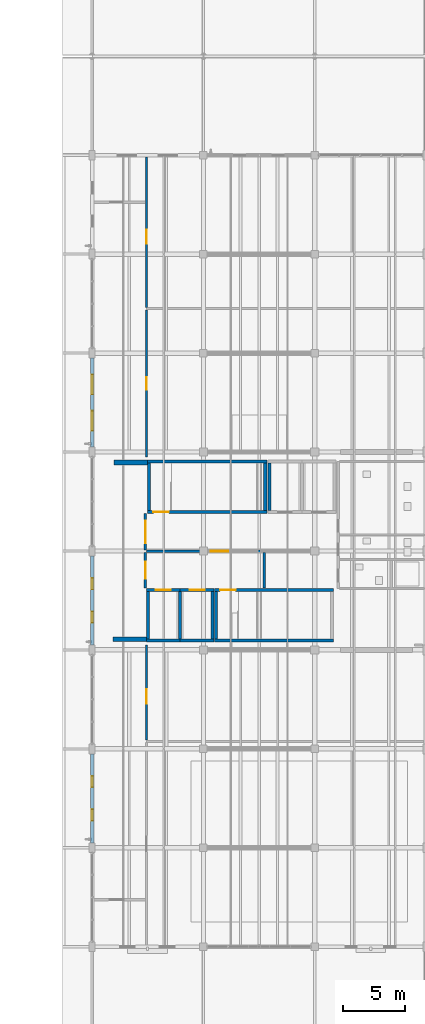
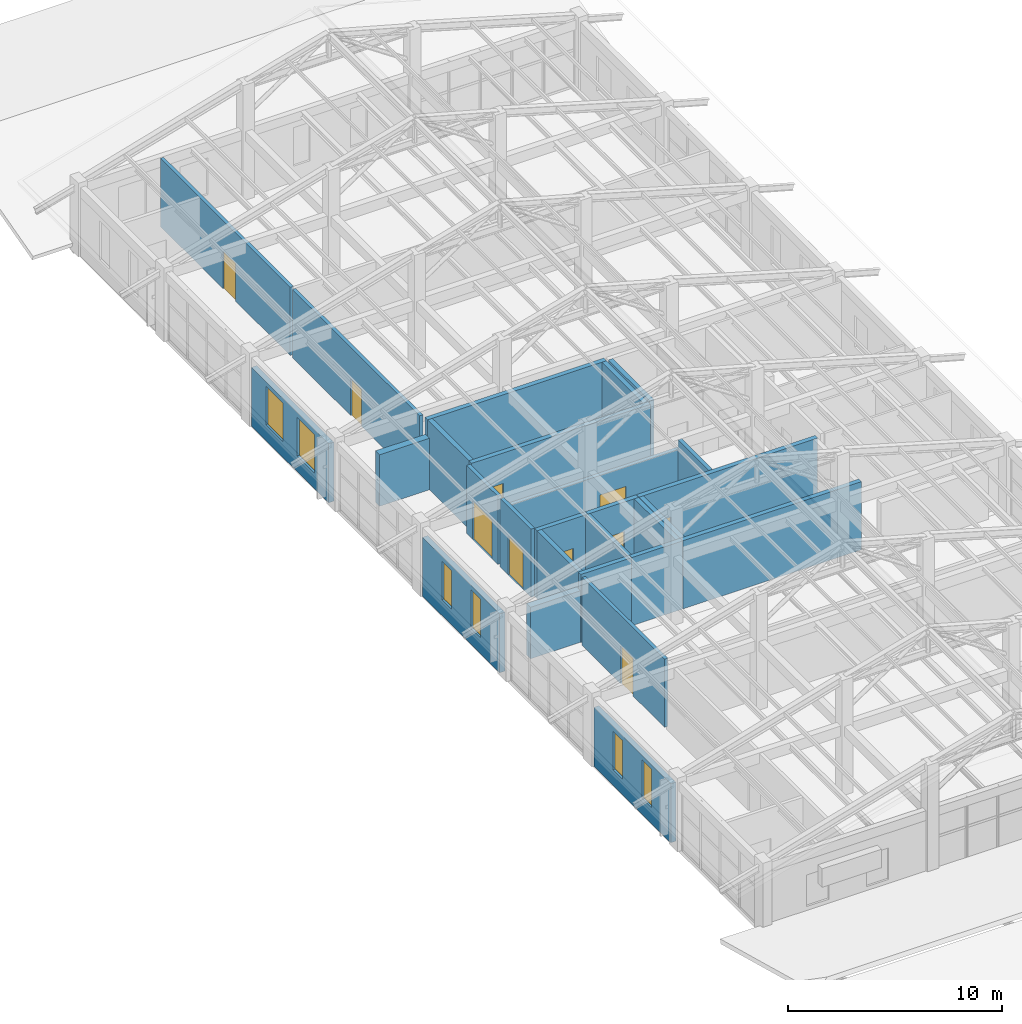
# One storey, part 47 of 58: 27 walls, 10 doors, 6 windows, 16 openings.
"""IFC4 building model written with IfcOpenShell, lengths in metres."""

from ifc_helpers import new_model, si_unit, derived_unit, direction, frame, frame_2d, origin, place, context, subcontext, project, spatial, rectangle, extrude, material, layer, layer_set, type_object, element, fill, save


model = new_model("IFC4")

# Units and contexts
model_context = context("Model", 3, precision=1e-05, world=origin(), true_north=direction((0.0, 1.0)))
body_context = subcontext(model_context, "Body", "Model", "MODEL_VIEW")
ifc_project = project(units=[si_unit("LENGTHUNIT", "METRE"), si_unit("AREAUNIT", "SQUARE_METRE"), si_unit("VOLUMEUNIT", "CUBIC_METRE"), si_unit("PLANEANGLEUNIT", "RADIAN"), si_unit("MASSUNIT", "GRAM", prefix="KILO"), derived_unit("THERMALTRANSMITTANCEUNIT", [(si_unit("MASSUNIT", "GRAM", prefix="KILO"), 1), (si_unit("TIMEUNIT", "SECOND"), -3), (si_unit("THERMODYNAMICTEMPERATUREUNIT", "KELVIN"), -1)])], contexts=[model_context])

# Site, building, storey
site_placement = place(None, origin())
site = spatial("IfcSite", under=ifc_project, at=site_placement, CompositionType="ELEMENT")
building_placement = place(site_placement, origin())
building = spatial("IfcBuilding", under=site, at=building_placement, Name="Zhenchuan Archway Interchange", CompositionType="ELEMENT")
storey_placement = place(building_placement, frame((0.0, 0.0, 22.800048828125)))
storey = spatial("IfcBuildingStorey", under=building, at=storey_placement, Name="L05", CompositionType="ELEMENT", Elevation=22.800048828125)

# Wall, openings, windows
ifc_material_1 = material(Name="Terracotta Masonry", Category="masonry")
ifc_layer_1 = layer(ifc_material_1, 0.280029296875)
ifc_layer_set_1 = layer_set([ifc_layer_1], Name="Terracotta Masonry")
wall_type_1 = type_object("IfcWallType", Name="EW_TERRA_280", PredefinedType="STANDARD", material=ifc_layer_set_1)
wall_1_placement = place(storey_placement, frame((144.0, 32.39794921875, 0.0), z_axis=(0.0, 0.0, 1.0), x_axis=(0.0, 1.0, 0.0)))
wall_1 = element("IfcWall", 1, at=wall_1_placement, inside=storey, type_object=wall_type_1, Name="Exterior wall L05-005", PredefinedType="STANDARD", context=body_context, shape_type="SweptSolid", body=[
    extrude(rectangle(XDim=7.2041015625, YDim=0.280029296875, at=frame_2d((3.60205078125, 0.0))), origin(), (0.0, 0.0, 1.0), 3.369873046875),
])
opening_1_placement = place(wall_1_placement, frame((1.80126953125, 0.0, 0.89990234375)))
opening_1 = element("IfcOpeningElement", 2, at=opening_1_placement, cuts=wall_1, Name="Opening W-12", PredefinedType="OPENING", context=body_context, shape_type="SweptSolid", body=[
    extrude(rectangle(XDim=0.89990234375, YDim=2.199951171875, at=frame_2d((0.449951171875, 1.10009765625))), frame((0.0, 0.15185546875, 0.0), z_axis=(0.0, -1.0, 0.0), x_axis=(1.0, 0.0, 0.0)), (0.0, 0.0, 1.0), 0.303955078125),
])
opening_2_placement = place(wall_1_placement, frame((4.502685546875, 0.0, 0.89990234375)))
opening_2 = element("IfcOpeningElement", 3, at=opening_2_placement, cuts=wall_1, Name="Opening W-12", PredefinedType="OPENING", context=body_context, shape_type="SweptSolid", body=[
    extrude(rectangle(XDim=0.89990234375, YDim=2.199951171875, at=frame_2d((0.449951171875, 1.10009765625))), frame((0.0, 0.15185546875, 0.0), z_axis=(0.0, -1.0, 0.0), x_axis=(1.0, 0.0, 0.0)), (0.0, 0.0, 1.0), 0.303955078125),
])
ifc_material_2 = material(Name="Double Low-E Insulated Glazing", Category="glass")
window_type_1 = type_object("IfcWindowType", Name="WN_SLOT_900x2200", PartitioningType="SINGLE_PANEL", PredefinedType="WINDOW", material=ifc_material_2)
window_1_placement = place(opening_1_placement, origin())
window_1 = element("IfcWindow", 4, at=window_1_placement, inside=storey, type_object=window_type_1, Name="Window L05-0341", OverallHeight=2.199951171875, OverallWidth=0.89990234375, PartitioningType="SINGLE_PANEL", PredefinedType="WINDOW", context=body_context, shape_type="SweptSolid", body=[
    extrude(rectangle(XDim=0.89990234375, YDim=2.199951171875, at=frame_2d((0.449951171875, 1.10009765625))), frame((0.0, 0.030029296875, 0.0), z_axis=(0.0, -1.0, 0.0), x_axis=(1.0, 0.0, 0.0)), (0.0, 0.0, 1.0), 0.06005859375),
])
fill(opening_1, window_1)
window_2_placement = place(opening_2_placement, origin())
window_2 = element("IfcWindow", 5, at=window_2_placement, inside=storey, type_object=window_type_1, Name="Window L05-0342", OverallHeight=2.199951171875, OverallWidth=0.89990234375, PartitioningType="SINGLE_PANEL", PredefinedType="WINDOW", context=body_context, shape_type="SweptSolid", body=[
    extrude(rectangle(XDim=0.89990234375, YDim=2.199951171875, at=frame_2d((0.449951171875, 1.10009765625))), frame((0.0, 0.030029296875, 0.0), z_axis=(0.0, -1.0, 0.0), x_axis=(1.0, 0.0, 0.0)), (0.0, 0.0, 1.0), 0.06005859375),
])
fill(opening_2, window_2)

wall_2_placement = place(storey_placement, frame((144.0, 48.39794921875, 0.0), z_axis=(0.0, 0.0, 1.0), x_axis=(0.0, 1.0, 0.0)))
wall_2 = element("IfcWall", 6, at=wall_2_placement, inside=storey, type_object=wall_type_1, Name="Exterior wall L05-007", PredefinedType="STANDARD", context=body_context, shape_type="SweptSolid", body=[
    extrude(rectangle(XDim=7.2041015625, YDim=0.280029296875, at=frame_2d((3.60205078125, 0.0))), origin(), (0.0, 0.0, 1.0), 3.369873046875),
])
opening_3_placement = place(wall_2_placement, frame((1.80126953125, 0.0, 0.89990234375)))
opening_3 = element("IfcOpeningElement", 7, at=opening_3_placement, cuts=wall_2, Name="Opening W-12", PredefinedType="OPENING", context=body_context, shape_type="SweptSolid", body=[
    extrude(rectangle(XDim=0.89990234375, YDim=2.199951171875, at=frame_2d((0.449951171875, 1.10009765625))), frame((0.0, 0.15185546875, 0.0), z_axis=(0.0, -1.0, 0.0), x_axis=(1.0, 0.0, 0.0)), (0.0, 0.0, 1.0), 0.303955078125),
])
opening_4_placement = place(wall_2_placement, frame((4.502685546875, 0.0, 0.89990234375)))
opening_4 = element("IfcOpeningElement", 8, at=opening_4_placement, cuts=wall_2, Name="Opening W-12", PredefinedType="OPENING", context=body_context, shape_type="SweptSolid", body=[
    extrude(rectangle(XDim=0.89990234375, YDim=2.199951171875, at=frame_2d((0.449951171875, 1.10009765625))), frame((0.0, 0.15185546875, 0.0), z_axis=(0.0, -1.0, 0.0), x_axis=(1.0, 0.0, 0.0)), (0.0, 0.0, 1.0), 0.303955078125),
])
window_3_placement = place(opening_3_placement, origin())
window_3 = element("IfcWindow", 9, at=window_3_placement, inside=storey, type_object=window_type_1, Name="Window L05-0343", OverallHeight=2.199951171875, OverallWidth=0.89990234375, PartitioningType="SINGLE_PANEL", PredefinedType="WINDOW", context=body_context, shape_type="SweptSolid", body=[
    extrude(rectangle(XDim=0.89990234375, YDim=2.199951171875, at=frame_2d((0.449951171875, 1.10009765625))), frame((0.0, 0.030029296875, 0.0), z_axis=(0.0, -1.0, 0.0), x_axis=(1.0, 0.0, 0.0)), (0.0, 0.0, 1.0), 0.06005859375),
])
fill(opening_3, window_3)
window_4_placement = place(opening_4_placement, origin())
window_4 = element("IfcWindow", 10, at=window_4_placement, inside=storey, type_object=window_type_1, Name="Window L05-0344", OverallHeight=2.199951171875, OverallWidth=0.89990234375, PartitioningType="SINGLE_PANEL", PredefinedType="WINDOW", context=body_context, shape_type="SweptSolid", body=[
    extrude(rectangle(XDim=0.89990234375, YDim=2.199951171875, at=frame_2d((0.449951171875, 1.10009765625))), frame((0.0, 0.030029296875, 0.0), z_axis=(0.0, -1.0, 0.0), x_axis=(1.0, 0.0, 0.0)), (0.0, 0.0, 1.0), 0.06005859375),
])
fill(opening_4, window_4)

wall_3_placement = place(storey_placement, frame((144.0, 64.39794921875, 0.0), z_axis=(0.0, 0.0, 1.0), x_axis=(0.0, 1.0, 0.0)))
wall_3 = element("IfcWall", 11, at=wall_3_placement, inside=storey, type_object=wall_type_1, Name="Exterior wall L05-009", PredefinedType="STANDARD", context=body_context, shape_type="SweptSolid", body=[
    extrude(rectangle(XDim=7.2041015625, YDim=0.280029296875, at=frame_2d((3.60205078125, 0.0))), origin(), (0.0, 0.0, 1.0), 3.369873046875),
])
opening_5_placement = place(wall_3_placement, frame((1.334716796875, 0.0, 0.89990234375)))
opening_5 = element("IfcOpeningElement", 12, at=opening_5_placement, cuts=wall_3, Name="Opening W-04", PredefinedType="OPENING", context=body_context, shape_type="SweptSolid", body=[
    extrude(rectangle(XDim=1.60009765625, YDim=2.199951171875, at=frame_2d((0.800048828125, 1.10009765625))), frame((0.0, 0.15185546875, 0.0), z_axis=(0.0, -1.0, 0.0), x_axis=(1.0, 0.0, 0.0)), (0.0, 0.0, 1.0), 0.303955078125),
])
opening_6_placement = place(wall_3_placement, frame((4.269287109375, 0.0, 0.89990234375)))
opening_6 = element("IfcOpeningElement", 13, at=opening_6_placement, cuts=wall_3, Name="Opening W-04", PredefinedType="OPENING", context=body_context, shape_type="SweptSolid", body=[
    extrude(rectangle(XDim=1.60009765625, YDim=2.199951171875, at=frame_2d((0.800048828125, 1.10009765625))), frame((0.0, 0.15185546875, 0.0), z_axis=(0.0, -1.0, 0.0), x_axis=(1.0, 0.0, 0.0)), (0.0, 0.0, 1.0), 0.303955078125),
])
window_type_2 = type_object("IfcWindowType", Name="WN_PUNCH_1600x2200", PartitioningType="SINGLE_PANEL", PredefinedType="WINDOW", material=ifc_material_2)
window_5_placement = place(opening_5_placement, origin())
window_5 = element("IfcWindow", 14, at=window_5_placement, inside=storey, type_object=window_type_2, Name="Window L05-0345", OverallHeight=2.199951171875, OverallWidth=1.60009765625, PartitioningType="SINGLE_PANEL", PredefinedType="WINDOW", context=body_context, shape_type="SweptSolid", body=[
    extrude(rectangle(XDim=1.60009765625, YDim=2.199951171875, at=frame_2d((0.800048828125, 1.10009765625))), frame((0.0, 0.030029296875, 0.0), z_axis=(0.0, -1.0, 0.0), x_axis=(1.0, 0.0, 0.0)), (0.0, 0.0, 1.0), 0.06005859375),
])
fill(opening_5, window_5)
window_6_placement = place(opening_6_placement, origin())
window_6 = element("IfcWindow", 15, at=window_6_placement, inside=storey, type_object=window_type_2, Name="Window L05-0346", OverallHeight=2.199951171875, OverallWidth=1.60009765625, PartitioningType="SINGLE_PANEL", PredefinedType="WINDOW", context=body_context, shape_type="SweptSolid", body=[
    extrude(rectangle(XDim=1.60009765625, YDim=2.199951171875, at=frame_2d((0.800048828125, 1.10009765625))), frame((0.0, 0.030029296875, 0.0), z_axis=(0.0, -1.0, 0.0), x_axis=(1.0, 0.0, 0.0)), (0.0, 0.0, 1.0), 0.06005859375),
])
fill(opening_6, window_6)

# Walls
ifc_material_3 = material(Name="Concrete C50", Category="concrete")
ifc_layer_2 = layer(ifc_material_3, 0.3798828125)
ifc_layer_set_2 = layer_set([ifc_layer_2], Name="Concrete C50")
wall_type_2 = type_object("IfcWallType", Name="WL_CORE_380", PredefinedType="SHEAR", material=ifc_layer_set_2)
wall_4_placement = place(storey_placement, frame((145.679931640625, 48.85498046875, 0.0), z_axis=(0.0, 0.0, 1.0), x_axis=(1.0, 0.0, 0.0)))
element("IfcWall", 16, at=wall_4_placement, inside=storey, type_object=wall_type_2, Name="Operations lateral shear wall W-S (L05)", PredefinedType="SHEAR", context=body_context, shape_type="SweptSolid", body=[
    extrude(rectangle(XDim=2.699951171875, YDim=0.3798828125, at=frame_2d((1.35009765625, 0.0))), origin(), (0.0, 0.0, 1.0), 2.93994140625),
])
wall_5_placement = place(storey_placement, frame((145.77490234375, 63.14990234375, 0.0), z_axis=(0.0, 0.0, 1.0), x_axis=(1.0, 0.0, 0.0)))
element("IfcWall", 17, at=wall_5_placement, inside=storey, type_object=wall_type_2, Name="Operations lateral shear wall W-N (L05)", PredefinedType="SHEAR", context=body_context, shape_type="SweptSolid", body=[
    extrude(rectangle(XDim=2.7001953125, YDim=0.3798828125, at=frame_2d((1.35009765625, 0.0))), origin(), (0.0, 0.0, 1.0), 2.93994140625),
])

# Wall, opening, door
ifc_material_4 = material(Name="Autoclaved Aerated Concrete Block", Category="concrete")
ifc_layer_3 = layer(ifc_material_4, 0.199951171875)
ifc_layer_set_3 = layer_set([ifc_layer_3], Name="Autoclaved Aerated Concrete Block")
wall_type_3 = type_object("IfcWallType", Name="WL_FIRE_200", PredefinedType="STANDARD", material=ifc_layer_set_3)
wall_6_placement = place(storey_placement, frame((148.39990234375, 55.97998046875, 0.0), z_axis=(0.0, 0.0, 1.0), x_axis=(1.0, 0.0, 0.0)))
wall_6 = element("IfcWall", 18, at=wall_6_placement, inside=storey, type_object=wall_type_3, Name="Firefighting lift lobby smoke divider (L05)", PredefinedType="STANDARD", context=body_context, shape_type="SweptSolid", body=[
    extrude(rectangle(XDim=9.5, YDim=0.199951171875, at=frame_2d((4.75, 0.0))), origin(), (0.0, 0.0, 1.0), 3.320068359375),
])
opening_7_placement = place(wall_6_placement, frame((5.199951171875, 0.0, 0.0)))
opening_7 = element("IfcOpeningElement", 19, at=opening_7_placement, cuts=wall_6, Name="Opening FD-04", PredefinedType="OPENING", context=body_context, shape_type="SweptSolid", body=[
    extrude(rectangle(XDim=1.39990234375, YDim=2.199951171875, at=frame_2d((0.699951171875, 1.10009765625))), frame((0.0, 0.11181640625, 0.0), z_axis=(0.0, -1.0, 0.0), x_axis=(1.0, 0.0, 0.0)), (0.0, 0.0, 1.0), 0.223876953125),
])
ifc_material_5 = material(Name="Painted Galvanised Steel", Category="steel")
door_type_1 = type_object("IfcDoorType", Name="DR_LOB_FD60", OperationType="DOUBLE_DOOR_SINGLE_SWING", PredefinedType="DOOR", material=ifc_material_5)
door_1_placement = place(opening_7_placement, origin())
door_1 = element("IfcDoor", 20, at=door_1_placement, inside=storey, type_object=door_type_1, Name="Firefighting to passenger lobby smoke door (L05)", OperationType="DOUBLE_DOOR_SINGLE_SWING", OverallHeight=2.199951171875, OverallWidth=1.39990234375, PredefinedType="DOOR", context=body_context, shape_type="SweptSolid", body=[
    extrude(rectangle(XDim=1.39990234375, YDim=2.199951171875, at=frame_2d((0.699951171875, 1.10009765625))), frame((0.0, 0.02490234375, 0.0), z_axis=(0.0, -1.0, 0.0), x_axis=(1.0, 0.0, 0.0)), (0.0, 0.0, 1.0), 0.050048828125),
])
fill(opening_7, door_1)

# Wall
wall_7_placement = place(storey_placement, frame((157.89990234375, 52.989990234375, 0.0), z_axis=(0.0, 0.0, 1.0), x_axis=(0.0, 1.0, 0.0)))
element("IfcWall", 21, at=wall_7_placement, inside=storey, type_object=wall_type_3, Name="Firefighting lift lobby east fire wall (L05)", PredefinedType="STANDARD", context=body_context, shape_type="SweptSolid", body=[
    extrude(rectangle(XDim=2.880126953125, YDim=0.199951171875, at=frame_2d((1.43994140625, 0.0))), origin(), (0.0, 0.0, 1.0), 3.889892578125),
])

# Wall, opening, door
wall_8_placement = place(storey_placement, frame((148.300048828125, 52.989990234375, 0.0), z_axis=(0.0, 0.0, 1.0), x_axis=(0.0, 1.0, 0.0)))
wall_8 = element("IfcWall", 22, at=wall_8_placement, inside=storey, type_object=wall_type_3, Name="Firefighting lift lobby west fire wall (L05)", PredefinedType="STANDARD", context=body_context, shape_type="SweptSolid", body=[
    extrude(rectangle(XDim=2.880126953125, YDim=0.199951171875, at=frame_2d((1.43994140625, 0.0))), origin(), (0.0, 0.0, 1.0), 3.889892578125),
])
opening_8_placement = place(wall_8_placement, frame((0.75, 0.0, 0.0)))
opening_8 = element("IfcOpeningElement", 23, at=opening_8_placement, cuts=wall_8, Name="Opening FD-04", PredefinedType="OPENING", context=body_context, shape_type="SweptSolid", body=[
    extrude(rectangle(XDim=1.39990234375, YDim=2.199951171875, at=frame_2d((0.699951171875, 1.10009765625))), frame((0.0, 0.11181640625, 0.0), z_axis=(0.0, -1.0, 0.0), x_axis=(1.0, 0.0, 0.0)), (0.0, 0.0, 1.0), 0.223876953125),
])
door_2_placement = place(opening_8_placement, origin())
door_2 = element("IfcDoor", 24, at=door_2_placement, inside=storey, type_object=door_type_1, Name="Firefighting lift lobby corridor fire door (L05)", OperationType="DOUBLE_DOOR_SINGLE_SWING", OverallHeight=2.199951171875, OverallWidth=1.39990234375, PredefinedType="DOOR", context=body_context, shape_type="SweptSolid", body=[
    extrude(rectangle(XDim=1.39990234375, YDim=2.199951171875, at=frame_2d((0.699951171875, 1.10009765625))), frame((0.0, 0.02490234375, 0.0), z_axis=(0.0, -1.0, 0.0), x_axis=(1.0, 0.0, 0.0)), (0.0, 0.0, 1.0), 0.050048828125),
])
fill(opening_8, door_2)

wall_9_placement = place(storey_placement, frame((148.300048828125, 56.090087890625, 0.0), z_axis=(0.0, 0.0, 1.0), x_axis=(0.0, 1.0, 0.0)))
wall_9 = element("IfcWall", 25, at=wall_9_placement, inside=storey, type_object=wall_type_3, Name="Passenger lift lobby west fire wall (L05)", PredefinedType="STANDARD", context=body_context, shape_type="SweptSolid", body=[
    extrude(rectangle(XDim=2.919921875, YDim=0.199951171875, at=frame_2d((1.4599609375, 0.0))), origin(), (0.0, 0.0, 1.0), 3.889892578125),
])
opening_9_placement = place(wall_9_placement, frame((0.550048828125, 0.0, 0.0)))
opening_9 = element("IfcOpeningElement", 26, at=opening_9_placement, cuts=wall_9, Name="Opening ID-01", PredefinedType="OPENING", context=body_context, shape_type="SweptSolid", body=[
    extrude(rectangle(XDim=1.800048828125, YDim=2.199951171875, at=frame_2d((0.89990234375, 1.10009765625))), frame((0.0, 0.11181640625, 0.0), z_axis=(0.0, -1.0, 0.0), x_axis=(1.0, 0.0, 0.0)), (0.0, 0.0, 1.0), 0.223876953125),
])
ifc_material_6 = material(Name="Anodised Aluminium", Category="aluminium")
door_type_2 = type_object("IfcDoorType", Name="DR_LOBBY_DBL", OperationType="DOUBLE_DOOR_SINGLE_SWING", PredefinedType="DOOR", material=ifc_material_6)
door_3_placement = place(opening_9_placement, origin())
door_3 = element("IfcDoor", 27, at=door_3_placement, inside=storey, type_object=door_type_2, Name="Passenger lift lobby entrance door (L05)", OperationType="DOUBLE_DOOR_SINGLE_SWING", OverallHeight=2.199951171875, OverallWidth=1.800048828125, PredefinedType="DOOR", context=body_context, shape_type="SweptSolid", body=[
    extrude(rectangle(XDim=1.800048828125, YDim=2.199951171875, at=frame_2d((0.89990234375, 1.10009765625))), frame((0.0, 0.02490234375, 0.0), z_axis=(0.0, -1.0, 0.0), x_axis=(1.0, 0.0, 0.0)), (0.0, 0.0, 1.0), 0.050048828125),
])
fill(opening_9, door_3)

# Walls
ifc_material_7 = material(Name="Concrete C40", Category="concrete")
ifc_layer_4 = layer(ifc_material_7, 0.239990234375)
ifc_layer_set_4 = layer_set([ifc_layer_4], Name="Concrete C40")
wall_type_4 = type_object("IfcWallType", Name="WL_LIFT_240", PredefinedType="SHEAR", material=ifc_layer_set_4)
wall_10_placement = place(storey_placement, frame((158.35009765625, 63.1298828125, 0.0), z_axis=(0.0, 0.0, 1.0), x_axis=(0.0, -1.0, 0.0)))
element("IfcWall", 28, at=wall_10_placement, inside=storey, type_object=wall_type_4, Name="Lift LF-06 west shaft wall (L05)", PredefinedType="SHEAR", context=body_context, shape_type="SweptSolid", body=[
    extrude(rectangle(XDim=3.85986328125, YDim=0.239990234375, at=frame_2d((1.929931640625, 0.0))), origin(), (0.0, 0.0, 1.0), 3.889892578125),
])
wall_11_placement = place(storey_placement, frame((148.3798828125, 48.75, 0.0), z_axis=(0.0, 0.0, 1.0), x_axis=(1.0, 0.0, 0.0)))
element("IfcWall", 29, at=wall_11_placement, inside=storey, type_object=wall_type_4, Name="Lift LF-08 south shaft wall (L05)", PredefinedType="SHEAR", context=body_context, shape_type="SweptSolid", body=[
    extrude(rectangle(XDim=2.740234375, YDim=0.239990234375, at=frame_2d((1.3701171875, 0.0))), origin(), (0.0, 0.0, 1.0), 3.889892578125),
])

# Wall, opening, door
wall_12_placement = place(storey_placement, frame((151.1201171875, 52.85009765625, 0.0), z_axis=(0.0, 0.0, 1.0), x_axis=(-1.0, 0.0, 0.0)))
wall_12 = element("IfcWall", 30, at=wall_12_placement, inside=storey, type_object=wall_type_4, Name="Lift LF-08 north shaft wall (L05)", PredefinedType="SHEAR", context=body_context, shape_type="SweptSolid", body=[
    extrude(rectangle(XDim=2.740234375, YDim=0.239990234375, at=frame_2d((1.3701171875, 0.0))), origin(), (0.0, 0.0, 1.0), 3.889892578125),
])
opening_10_placement = place(wall_12_placement, frame((0.77001953125, 0.0, 0.0)))
opening_10 = element("IfcOpeningElement", 31, at=opening_10_placement, cuts=wall_12, Name="Opening LD-02", PredefinedType="OPENING", context=body_context, shape_type="SweptSolid", body=[
    extrude(rectangle(XDim=1.199951171875, YDim=2.199951171875, at=frame_2d((0.60009765625, 1.10009765625))), frame((0.0, 0.1318359375, 0.0), z_axis=(0.0, -1.0, 0.0), x_axis=(1.0, 0.0, 0.0)), (0.0, 0.0, 1.0), 0.263916015625),
])
ifc_material_8 = material(Name="Stainless Steel 304", Category="steel")
door_type_3 = type_object("IfcDoorType", Name="DR_LIFT_LD120", OperationType="DOUBLE_DOOR_SLIDING", PredefinedType="DOOR", material=ifc_material_8)
door_4_placement = place(opening_10_placement, origin())
door_4 = element("IfcDoor", 32, at=door_4_placement, inside=storey, type_object=door_type_3, Name="Lift LF-08 landing door (L05)", OperationType="DOUBLE_DOOR_SLIDING", OverallHeight=2.199951171875, OverallWidth=1.199951171875, PredefinedType="DOOR", context=body_context, shape_type="SweptSolid", body=[
    extrude(rectangle(XDim=1.199951171875, YDim=2.199951171875, at=frame_2d((0.60009765625, 1.10009765625))), frame((0.0, 0.02490234375, 0.0), z_axis=(0.0, -1.0, 0.0), x_axis=(1.0, 0.0, 0.0)), (0.0, 0.0, 1.0), 0.050048828125),
])
fill(opening_10, door_4)

# Walls
for number, where, z_axis, x_axis, name in (
    (33, (148.5, 52.72998046875, 0.0), (0.0, 0.0, 1.0), (0.0, -1.0, 0.0), "Lift LF-08 west shaft wall (L05)"),
    (34, (151.1201171875, 48.8701171875, 0.0), (0.0, 0.0, 1.0), (0.0, 1.0, 0.0), "Lift LF-08 east shaft wall (L05)"),
):
    element("IfcWall", number, at=place(storey_placement, frame(where, z_axis=z_axis, x_axis=x_axis)), inside=storey, type_object=wall_type_4, Name=name, PredefinedType="SHEAR", context=body_context, shape_type="SweptSolid", body=[
        extrude(rectangle(XDim=3.85986328125, YDim=0.239990234375, at=frame_2d((1.929931640625, 0.0))), origin(), (0.0, 0.0, 1.0), 3.889892578125),
    ])
wall_13_placement = place(storey_placement, frame((151.1201171875, 48.75, 0.0), z_axis=(0.0, 0.0, 1.0), x_axis=(1.0, 0.0, 0.0)))
element("IfcWall", 35, at=wall_13_placement, inside=storey, type_object=wall_type_4, Name="Lift LF-09 south shaft wall (L05)", PredefinedType="SHEAR", context=body_context, shape_type="SweptSolid", body=[
    extrude(rectangle(XDim=2.739990234375, YDim=0.239990234375, at=frame_2d((1.3701171875, 0.0))), origin(), (0.0, 0.0, 1.0), 3.889892578125),
])

# Wall, opening, door
wall_14_placement = place(storey_placement, frame((153.860107421875, 52.85009765625, 0.0), z_axis=(0.0, 0.0, 1.0), x_axis=(-1.0, 0.0, 0.0)))
wall_14 = element("IfcWall", 36, at=wall_14_placement, inside=storey, type_object=wall_type_4, Name="Lift LF-09 north shaft wall (L05)", PredefinedType="SHEAR", context=body_context, shape_type="SweptSolid", body=[
    extrude(rectangle(XDim=2.739990234375, YDim=0.239990234375, at=frame_2d((1.3701171875, 0.0))), origin(), (0.0, 0.0, 1.0), 3.889892578125),
])
opening_11_placement = place(wall_14_placement, frame((0.77001953125, 0.0, 0.0)))
opening_11 = element("IfcOpeningElement", 37, at=opening_11_placement, cuts=wall_14, Name="Opening LD-02", PredefinedType="OPENING", context=body_context, shape_type="SweptSolid", body=[
    extrude(rectangle(XDim=1.199951171875, YDim=2.199951171875, at=frame_2d((0.60009765625, 1.10009765625))), frame((0.0, 0.1318359375, 0.0), z_axis=(0.0, -1.0, 0.0), x_axis=(1.0, 0.0, 0.0)), (0.0, 0.0, 1.0), 0.263916015625),
])
door_5_placement = place(opening_11_placement, origin())
door_5 = element("IfcDoor", 38, at=door_5_placement, inside=storey, type_object=door_type_3, Name="Lift LF-09 landing door (L05)", OperationType="DOUBLE_DOOR_SLIDING", OverallHeight=2.199951171875, OverallWidth=1.199951171875, PredefinedType="DOOR", context=body_context, shape_type="SweptSolid", body=[
    extrude(rectangle(XDim=1.199951171875, YDim=2.199951171875, at=frame_2d((0.60009765625, 1.10009765625))), frame((0.0, 0.02490234375, 0.0), z_axis=(0.0, -1.0, 0.0), x_axis=(1.0, 0.0, 0.0)), (0.0, 0.0, 1.0), 0.050048828125),
])
fill(opening_11, door_5)

# Wall
wall_15_placement = place(storey_placement, frame((153.739990234375, 48.8701171875, 0.0), z_axis=(0.0, 0.0, 1.0), x_axis=(0.0, 1.0, 0.0)))
element("IfcWall", 39, at=wall_15_placement, inside=storey, type_object=wall_type_4, Name="Lift LF-09 east shaft wall (L05)", PredefinedType="SHEAR", context=body_context, shape_type="SweptSolid", body=[
    extrude(rectangle(XDim=3.85986328125, YDim=0.239990234375, at=frame_2d((1.929931640625, 0.0))), origin(), (0.0, 0.0, 1.0), 3.889892578125),
])

# Wall, opening, door
ifc_material_9 = material(Name="Concrete Block Masonry", Category="masonry")
ifc_layer_5 = layer(ifc_material_9, 0.179931640625)
ifc_layer_set_5 = layer_set([ifc_layer_5], Name="Concrete Block Masonry")
wall_type_5 = type_object("IfcWallType", Name="WL_PART_180", PredefinedType="STANDARD", material=ifc_layer_set_5)
wall_16_placement = place(storey_placement, frame((148.39990234375, 40.699951171875, 0.0), z_axis=(0.0, 0.0, 1.0), x_axis=(0.0, 1.0, 0.0)))
wall_16 = element("IfcWall", 40, at=wall_16_placement, inside=storey, type_object=wall_type_5, Name="Command Video Wall Observation Gallery W partition (L05)", PredefinedType="STANDARD", context=body_context, shape_type="SweptSolid", body=[
    extrude(rectangle(XDim=7.699951171875, YDim=0.179931640625, at=frame_2d((3.85009765625, 0.0))), origin(), (0.0, 0.0, 1.0), 3.889892578125),
])
opening_12_placement = place(wall_16_placement, frame((2.949951171875, 0.0, 0.0)))
opening_12 = element("IfcOpeningElement", 41, at=opening_12_placement, cuts=wall_16, Name="Opening ID-06", PredefinedType="OPENING", context=body_context, shape_type="SweptSolid", body=[
    extrude(rectangle(XDim=1.14990234375, YDim=2.14990234375, at=frame_2d((0.574951171875, 1.074951171875))), frame((0.0, 0.10205078125, 0.0), z_axis=(0.0, -1.0, 0.0), x_axis=(1.0, 0.0, 0.0)), (0.0, 0.0, 1.0), 0.203857421875),
])
ifc_material_10 = material(Name="Hardwood Timber", Category="wood")
door_type_4 = type_object("IfcDoorType", Name="DR_CTRL_115", OperationType="NOTDEFINED", PredefinedType="DOOR", material=ifc_material_10)
door_6_placement = place(opening_12_placement, origin())
door_6 = element("IfcDoor", 42, at=door_6_placement, inside=storey, type_object=door_type_4, Name="Command Video Wall Observation Gallery door (L05)", OperationType="SINGLE_SWING_RIGHT", OverallHeight=2.14990234375, OverallWidth=1.14990234375, PredefinedType="DOOR", context=body_context, shape_type="SweptSolid", body=[
    extrude(rectangle(XDim=1.14990234375, YDim=2.14990234375, at=frame_2d((0.574951171875, 1.074951171875))), frame((0.0, 0.02490234375, 0.0), z_axis=(0.0, -1.0, 0.0), x_axis=(1.0, 0.0, 0.0)), (0.0, 0.0, 1.0), 0.050048828125),
])
fill(opening_12, door_6)

wall_17_placement = place(storey_placement, frame((148.39990234375, 63.60009765625, 0.0), z_axis=(0.0, 0.0, 1.0), x_axis=(0.0, 1.0, 0.0)))
wall_17 = element("IfcWall", 43, at=wall_17_placement, inside=storey, type_object=wall_type_5, Name="Inter-Agency Rail Coordination Room W partition (L05)", PredefinedType="STANDARD", context=body_context, shape_type="SweptSolid", body=[
    extrude(rectangle(XDim=11.89990234375, YDim=0.179931640625, at=frame_2d((5.949951171875, 0.0))), origin(), (0.0, 0.0, 1.0), 3.889892578125),
])
opening_13_placement = place(wall_17_placement, frame((5.449951171875, 0.0, 0.0)))
opening_13 = element("IfcOpeningElement", 44, at=opening_13_placement, cuts=wall_17, Name="Opening ID-02", PredefinedType="OPENING", context=body_context, shape_type="SweptSolid", body=[
    extrude(rectangle(XDim=1.0, YDim=2.10009765625, at=frame_2d((0.5, 1.050048828125))), frame((0.0, 0.10205078125, 0.0), z_axis=(0.0, -1.0, 0.0), x_axis=(1.0, 0.0, 0.0)), (0.0, 0.0, 1.0), 0.203857421875),
])
door_type_5 = type_object("IfcDoorType", Name="DR_OPS_100", OperationType="NOTDEFINED", PredefinedType="DOOR", material=ifc_material_10)
door_7_placement = place(opening_13_placement, origin())
door_7 = element("IfcDoor", 45, at=door_7_placement, inside=storey, type_object=door_type_5, Name="Inter-Agency Rail Coordination Room door (L05)", OperationType="SINGLE_SWING_RIGHT", OverallHeight=2.10009765625, OverallWidth=1.0, PredefinedType="DOOR", context=body_context, shape_type="SweptSolid", body=[
    extrude(rectangle(XDim=1.0, YDim=2.10009765625, at=frame_2d((0.5, 1.050048828125))), frame((0.0, 0.02490234375, 0.0), z_axis=(0.0, -1.0, 0.0), x_axis=(1.0, 0.0, 0.0)), (0.0, 0.0, 1.0), 0.050048828125),
])
fill(opening_13, door_7)

wall_18_placement = place(storey_placement, frame((148.39990234375, 75.699951171875, 0.0), z_axis=(0.0, 0.0, 1.0), x_axis=(0.0, 1.0, 0.0)))
wall_18 = element("IfcWall", 46, at=wall_18_placement, inside=storey, type_object=wall_type_5, Name="Emergency Incident Command Room W partition (L05)", PredefinedType="STANDARD", context=body_context, shape_type="SweptSolid", body=[
    extrude(rectangle(XDim=12.14501953125, YDim=0.179931640625, at=frame_2d((6.072509765625, 0.0))), origin(), (0.0, 0.0, 1.0), 3.889892578125),
])
opening_14_placement = place(wall_18_placement, frame((5.13330078125, 0.0, 0.0)))
opening_14 = element("IfcOpeningElement", 47, at=opening_14_placement, cuts=wall_18, Name="Opening ID-06", PredefinedType="OPENING", context=body_context, shape_type="SweptSolid", body=[
    extrude(rectangle(XDim=1.14990234375, YDim=2.14990234375, at=frame_2d((0.574951171875, 1.074951171875))), frame((0.0, 0.10205078125, 0.0), z_axis=(0.0, -1.0, 0.0), x_axis=(1.0, 0.0, 0.0)), (0.0, 0.0, 1.0), 0.203857421875),
])
door_8_placement = place(opening_14_placement, origin())
door_8 = element("IfcDoor", 48, at=door_8_placement, inside=storey, type_object=door_type_4, Name="Emergency Incident Command Room door (L05)", OperationType="SINGLE_SWING_LEFT", OverallHeight=2.14990234375, OverallWidth=1.14990234375, PredefinedType="DOOR", context=body_context, shape_type="SweptSolid", body=[
    extrude(rectangle(XDim=1.14990234375, YDim=2.14990234375, at=frame_2d((0.574951171875, 1.074951171875))), frame((0.0, 0.02490234375, 0.0), z_axis=(0.0, -1.0, 0.0), x_axis=(1.0, 0.0, 0.0)), (0.0, 0.0, 1.0), 0.050048828125),
])
fill(opening_14, door_8)

ifc_layer_6 = layer(ifc_material_7, 0.25)
ifc_layer_set_6 = layer_set([ifc_layer_6], Name="Concrete C40")
wall_type_6 = type_object("IfcWallType", Name="WL_STAIR_250", PredefinedType="SHEAR", material=ifc_layer_set_6)
wall_19_placement = place(storey_placement, frame((148.47509765625, 59.14990234375, 0.0), z_axis=(0.0, 0.0, 1.0), x_axis=(1.0, 0.0, 0.0)))
wall_19 = element("IfcWall", 49, at=wall_19_placement, inside=storey, type_object=wall_type_6, Name="Stair ST-O1 south wall (L05)", PredefinedType="SHEAR", context=body_context, shape_type="SweptSolid", body=[
    extrude(rectangle(XDim=9.64990234375, YDim=0.25, at=frame_2d((4.824951171875, 0.0))), origin(), (0.0, 0.0, 1.0), 3.889892578125),
])
opening_15_placement = place(wall_19_placement, frame((0.47509765625, 0.0, 0.0)))
opening_15 = element("IfcOpeningElement", 50, at=opening_15_placement, cuts=wall_19, Name="Opening FD-01", PredefinedType="OPENING", context=body_context, shape_type="SweptSolid", body=[
    extrude(rectangle(XDim=1.25, YDim=2.14990234375, at=frame_2d((0.625, 1.074951171875))), frame((0.0, 0.136962890625, 0.0), z_axis=(0.0, -1.0, 0.0), x_axis=(1.0, 0.0, 0.0)), (0.0, 0.0, 1.0), 0.27392578125),
])
door_type_6 = type_object("IfcDoorType", Name="DR_STAIR_FD90", OperationType="NOTDEFINED", PredefinedType="DOOR", material=ifc_material_5)
door_9_placement = place(opening_15_placement, origin())
door_9 = element("IfcDoor", 51, at=door_9_placement, inside=storey, type_object=door_type_6, Name="Stair ST-O1 fire door (L05)", OperationType="SINGLE_SWING_RIGHT", OverallHeight=2.14990234375, OverallWidth=1.25, PredefinedType="DOOR", context=body_context, shape_type="SweptSolid", body=[
    extrude(rectangle(XDim=1.25, YDim=2.14990234375, at=frame_2d((0.625, 1.074951171875))), frame((0.0, 0.02490234375, 0.0), z_axis=(0.0, -1.0, 0.0), x_axis=(1.0, 0.0, 0.0)), (0.0, 0.0, 1.0), 0.050048828125),
])
fill(opening_15, door_9)

# Walls
wall_20_placement = place(storey_placement, frame((158.125, 63.25, 0.0), z_axis=(0.0, 0.0, 1.0), x_axis=(-1.0, 0.0, 0.0)))
element("IfcWall", 52, at=wall_20_placement, inside=storey, type_object=wall_type_6, Name="Stair ST-O1 north wall (L05)", PredefinedType="SHEAR", context=body_context, shape_type="SweptSolid", body=[
    extrude(rectangle(XDim=9.64990234375, YDim=0.25, at=frame_2d((4.824951171875, 0.0))), origin(), (0.0, 0.0, 1.0), 3.889892578125),
])
for number, where, z_axis, x_axis, name in (
    (53, (148.60009765625, 63.125, 0.0), (0.0, 0.0, 1.0), (0.0, -1.0, 0.0), "Stair ST-O1 west wall (L05)"),
    (54, (158.0, 59.27490234375, 0.0), (0.0, 0.0, 1.0), (0.0, 1.0, 0.0), "Stair ST-O1 east wall (L05)"),
):
    element("IfcWall", number, at=place(storey_placement, frame(where, z_axis=z_axis, x_axis=x_axis)), inside=storey, type_object=wall_type_6, Name=name, PredefinedType="SHEAR", context=body_context, shape_type="SweptSolid", body=[
        extrude(rectangle(XDim=3.85009765625, YDim=0.25, at=frame_2d((1.925048828125, 0.0))), origin(), (0.0, 0.0, 1.0), 3.889892578125),
    ])
wall_21_placement = place(storey_placement, frame((153.875, 48.75, 0.0), z_axis=(0.0, 0.0, 1.0), x_axis=(1.0, 0.0, 0.0)))
element("IfcWall", 55, at=wall_21_placement, inside=storey, type_object=wall_type_6, Name="Stair ST-O2 south wall (L05)", PredefinedType="SHEAR", context=body_context, shape_type="SweptSolid", body=[
    extrude(rectangle(XDim=9.64990234375, YDim=0.25, at=frame_2d((4.824951171875, 0.0))), origin(), (0.0, 0.0, 1.0), 3.889892578125),
])

# Wall, opening, door
wall_22_placement = place(storey_placement, frame((163.52490234375, 52.85009765625, 0.0), z_axis=(0.0, 0.0, 1.0), x_axis=(-1.0, 0.0, 0.0)))
wall_22 = element("IfcWall", 56, at=wall_22_placement, inside=storey, type_object=wall_type_6, Name="Stair ST-O2 north wall (L05)", PredefinedType="SHEAR", context=body_context, shape_type="SweptSolid", body=[
    extrude(rectangle(XDim=9.64990234375, YDim=0.25, at=frame_2d((4.824951171875, 0.0))), origin(), (0.0, 0.0, 1.0), 3.889892578125),
])
opening_16_placement = place(wall_22_placement, frame((7.925048828125, 0.0, 0.0)))
opening_16 = element("IfcOpeningElement", 57, at=opening_16_placement, cuts=wall_22, Name="Opening FD-01", PredefinedType="OPENING", context=body_context, shape_type="SweptSolid", body=[
    extrude(rectangle(XDim=1.25, YDim=2.14990234375, at=frame_2d((0.625, 1.074951171875))), frame((0.0, 0.136962890625, 0.0), z_axis=(0.0, -1.0, 0.0), x_axis=(1.0, 0.0, 0.0)), (0.0, 0.0, 1.0), 0.27392578125),
])
door_10_placement = place(opening_16_placement, origin())
door_10 = element("IfcDoor", 58, at=door_10_placement, inside=storey, type_object=door_type_6, Name="Stair ST-O2 fire door (L05)", OperationType="SINGLE_SWING_LEFT", OverallHeight=2.14990234375, OverallWidth=1.25, PredefinedType="DOOR", context=body_context, shape_type="SweptSolid", body=[
    extrude(rectangle(XDim=1.25, YDim=2.14990234375, at=frame_2d((0.625, 1.074951171875))), frame((0.0, 0.02490234375, 0.0), z_axis=(0.0, -1.0, 0.0), x_axis=(1.0, 0.0, 0.0)), (0.0, 0.0, 1.0), 0.050048828125),
])
fill(opening_16, door_10)

# Wall
wall_23_placement = place(storey_placement, frame((154.0, 52.72509765625, 0.0), z_axis=(0.0, 0.0, 1.0), x_axis=(0.0, -1.0, 0.0)))
element("IfcWall", 59, at=wall_23_placement, inside=storey, type_object=wall_type_6, Name="Stair ST-O2 west wall (L05)", PredefinedType="SHEAR", context=body_context, shape_type="SweptSolid", body=[
    extrude(rectangle(XDim=3.85009765625, YDim=0.25, at=frame_2d((1.925048828125, 0.0))), origin(), (0.0, 0.0, 1.0), 3.889892578125),
])

save(model, "model.ifc")
